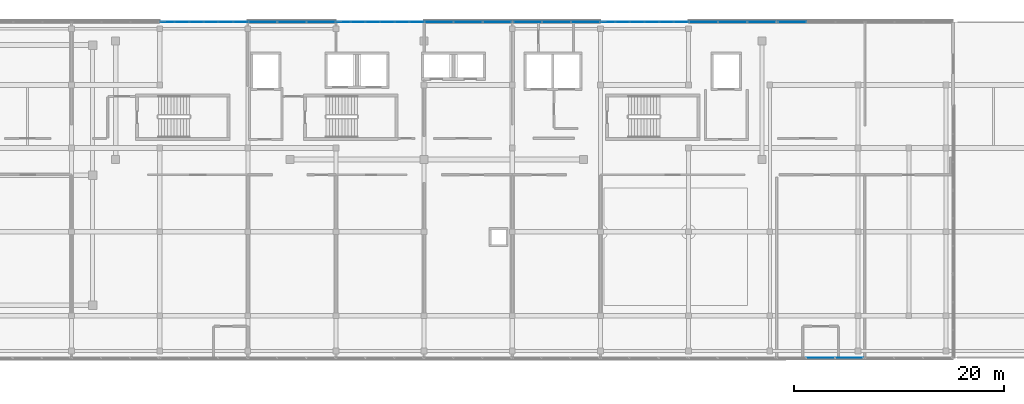
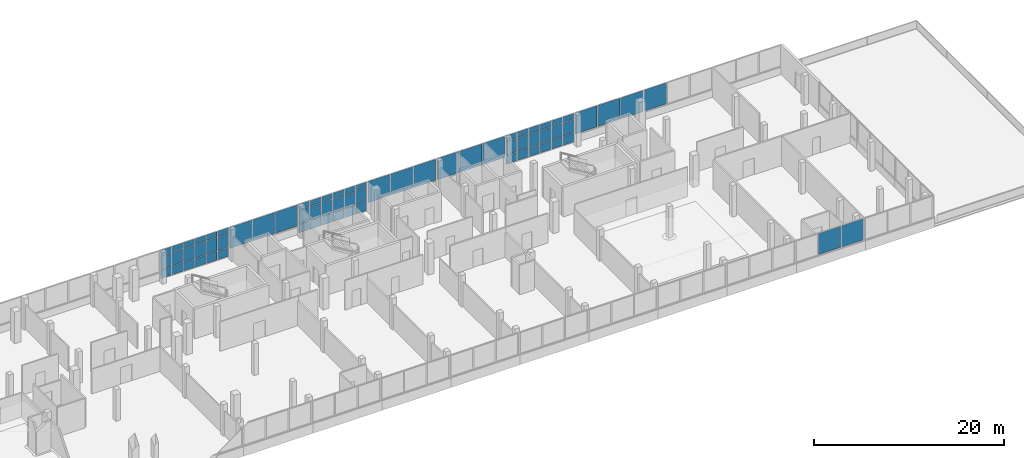
# One storey, part 53 of 66: 69 plates, 9 elements without a shape of their own.
"""IFC4 building model written with IfcOpenShell, lengths in metres."""

import ifcopenshell
import ifcopenshell.guid

model = None  # the IFC model being written
_history = None  # IfcOwnerHistory: only IFC2X3 demands one
_inside = {}  # id of a spatial element -> (the spatial element, [elements in it])
_under = {}  # id of a project, library or spatial element -> (it, [spatial elements below it])
_declared = {}  # id of a project -> (the project, [libraries it declares])
_typed = {}  # id of a type object -> (the type object, [elements of that type])
_made_of = {}  # id of a material, layer set ... -> (it, [elements and type objects made of it])


def new_model(schema):
    """Start an empty IFC model of exactly this schema.

    Asked for "IFC4X3", IfcOpenShell would pick the latest addendum, in which some entities
    have other attributes; the version numbers below select the first issue.
    IFC2X3 requires an IfcOwnerHistory on every rooted entity: one is made here for all.
    """
    global model, _history
    if schema == "IFC4X3":
        model = ifcopenshell.file(schema_version=(4, 3, 0, 0))
    else:
        model = ifcopenshell.file(schema=schema)
    _inside.clear()
    _under.clear()
    _declared.clear()
    _typed.clear()
    _made_of.clear()
    _history = None
    if model.schema == "IFC2X3":
        org = make("IfcOrganization", Name="unknown")
        user = make(
            "IfcPersonAndOrganization",
            ThePerson=make("IfcPerson", FamilyName="unknown"),
            TheOrganization=org,
        )
        app = make(
            "IfcApplication",
            ApplicationDeveloper=org,
            Version="unknown",
            ApplicationFullName="unknown",
            ApplicationIdentifier="unknown",
        )
        _history = make(
            "IfcOwnerHistory",
            OwningUser=user,
            OwningApplication=app,
            ChangeAction="ADDED",
            CreationDate=0,
        )
    return model


def make(cls, **values):
    """One entity of the class cls with the attributes given. An attribute that is None is left unset."""
    return model.create_entity(
        cls, **{name: value for name, value in values.items() if value is not None}
    )


def rooted(cls, **values):
    """An entity with a GlobalId (a new one), such as an element, a storey or a relation."""
    return make(cls, GlobalId=ifcopenshell.guid.new(), OwnerHistory=_history, **values)


def si_unit(unit_type, name, prefix=None):
    """IfcSIUnit, for example si_unit("LENGTHUNIT", "METRE", prefix="MILLI")."""
    return make("IfcSIUnit", UnitType=unit_type, Prefix=prefix, Name=name)


def assignment(units):
    """IfcUnitAssignment: the units of a project."""
    return None if units is None else make("IfcUnitAssignment", Units=units)


def point(xyz):
    """IfcCartesianPoint."""
    return None if xyz is None else make("IfcCartesianPoint", Coordinates=xyz)


def direction(xyz):
    """IfcDirection."""
    return None if xyz is None else make("IfcDirection", DirectionRatios=xyz)


def frame(location, z_axis=None, x_axis=None):
    """IfcAxis2Placement3D, a coordinate frame: its origin and axes. An axis left out is left unset."""
    return make(
        "IfcAxis2Placement3D",
        Location=point(location),
        Axis=direction(z_axis),
        RefDirection=direction(x_axis),
    )


def frame_2d(location, x_axis=None):
    """IfcAxis2Placement2D, a coordinate frame in the plane: its origin and x axis."""
    return make(
        "IfcAxis2Placement2D", Location=point(location), RefDirection=direction(x_axis)
    )


def origin():
    """The frame at (0, 0, 0) with its axes left unset."""
    return frame((0.0, 0.0, 0.0))


def origin_2d():
    """The frame at (0, 0) in the plane with its x axis left unset."""
    return frame_2d((0.0, 0.0))


def place(relative_to, where):
    """IfcLocalPlacement: puts the frame where relative to a parent placement (None: the world)."""
    return make(
        "IfcLocalPlacement", PlacementRelTo=relative_to, RelativePlacement=where
    )


def context(
    kind, dimensions, precision=None, world=None, true_north=None, identifier=None
):
    """IfcGeometricRepresentationContext, for example the 3D "Model" context."""
    return make(
        "IfcGeometricRepresentationContext",
        ContextIdentifier=identifier,
        ContextType=kind,
        CoordinateSpaceDimension=dimensions,
        Precision=precision,
        WorldCoordinateSystem=world,
        TrueNorth=true_north,
    )


def subcontext(parent, identifier, kind, view, scale=None):
    """IfcGeometricRepresentationSubContext, for example "Body" below "Model"."""
    return make(
        "IfcGeometricRepresentationSubContext",
        ContextIdentifier=identifier,
        ContextType=kind,
        ParentContext=parent,
        TargetScale=scale,
        TargetView=view,
    )


def project(units=None, contexts=None):
    """IfcProject with its units and contexts."""
    return rooted(
        "IfcProject",
        Name="project",
        RepresentationContexts=contexts,
        UnitsInContext=assignment(units),
    )


def spatial(cls, under=None, at=None, **own):
    """A site, building, storey or space (cls), placed at a placement, below another one or the project."""
    s = rooted(cls, ObjectPlacement=at, **own)
    if under is not None:
        _under.setdefault(under.id(), (under, []))[1].append(s)
    return s


def profile(cls, at=None, kind="AREA", **sizes):
    """A parametric profile (cls). Its sizes go by their IFC names, for example OverallWidth=200.0."""
    return make(cls, ProfileType=kind, Position=at, **sizes)


def rectangle(**sizes):
    """IfcRectangleProfileDef."""
    return profile("IfcRectangleProfileDef", **sizes)


def extrude(swept, where, along, depth):
    """IfcExtrudedAreaSolid: the profile swept, set in the frame where, extruded along a direction by depth."""
    return make(
        "IfcExtrudedAreaSolid",
        SweptArea=swept,
        Position=where,
        ExtrudedDirection=direction(along),
        Depth=depth,
    )


def shape(context_of_items, identifier, shape_type, items):
    """IfcShapeRepresentation: the items that make up one representation, for example the "Body"."""
    return make(
        "IfcShapeRepresentation",
        ContextOfItems=context_of_items,
        RepresentationIdentifier=identifier,
        RepresentationType=shape_type,
        Items=items,
    )


def material(Name=None, Category=None):
    """IfcMaterial."""
    return make("IfcMaterial", Name=Name, Category=Category)


def layer(
    of_material, thickness, ventilated=None, Name=None, Category=None, Priority=None
):
    """IfcMaterialLayer: one layer of a wall or slab, of a material (None: an air gap)."""
    return make(
        "IfcMaterialLayer",
        Material=of_material,
        LayerThickness=thickness,
        IsVentilated=ventilated,
        Name=Name,
        Category=Category,
        Priority=Priority,
    )


def layer_set(layers, Name=None):
    """IfcMaterialLayerSet."""
    return make("IfcMaterialLayerSet", MaterialLayers=layers, LayerSetName=Name)


def made_of(thing, what):
    """Note that an element or type object is made of a material, layer set ...; save() writes the relation."""
    if what is not None:
        _made_of.setdefault(what.id(), (what, []))[1].append(thing)
    return thing


def type_object(cls, material=None, **own):
    """A type object (cls), such as IfcWallType, which elements share."""
    return made_of(rooted(cls, **own), material)


def element(
    cls,
    number,
    at=None,
    inside=None,
    cuts=None,
    type_object=None,
    material=None,
    context=None,
    identifier="Body",
    shape_type=None,
    held_by="IfcProductDefinitionShape",
    body=None,
    shapes=None,
    **own,
):
    """One element of the class cls, such as IfcWall. Its Tag is "e" and its number.

    at: its placement. inside: the storey or other place that contains it. cuts: it is an
    opening in that element (IfcRelVoidsElement). A single representation is given by context,
    identifier, shape_type and body (its items); several are given by shapes. held_by: the class
    of the entity that holds the representations. save() writes the other relations.
    """
    e = rooted(cls, Tag="e%d" % number, ObjectPlacement=at, **own)
    if body is not None:
        shapes = [shape(context, identifier, shape_type, body)]
    if shapes is not None:
        e.Representation = make(held_by, Representations=shapes)
    if inside is not None:
        _inside.setdefault(inside.id(), (inside, []))[1].append(e)
    if cuts is not None:
        rooted(
            "IfcRelVoidsElement", RelatingBuildingElement=cuts, RelatedOpeningElement=e
        )
    if type_object is not None:
        _typed.setdefault(type_object.id(), (type_object, []))[1].append(e)
    return made_of(e, material)


def aggregate(whole, parts):
    """IfcRelAggregates: a whole, such as a stair, and the parts it consists of."""
    return rooted("IfcRelAggregates", RelatingObject=whole, RelatedObjects=parts)


def save(model, path):
    """Write the relations noted so far, then the file.

    IfcRelAggregates (storeys below a building ...), IfcRelContainedInSpatialStructure (elements
    in a storey), IfcRelDefinesByType, IfcRelAssociatesMaterial and IfcRelDeclares: one each for
    every whole, place, type object, material and project.
    """
    for whole, parts in _under.values():
        aggregate(whole, parts)
    for where, things in _inside.values():
        rooted(
            "IfcRelContainedInSpatialStructure",
            RelatedElements=things,
            RelatingStructure=where,
        )
    for kind, things in _typed.values():
        rooted("IfcRelDefinesByType", RelatedObjects=things, RelatingType=kind)
    for what, things in _made_of.values():
        rooted("IfcRelAssociatesMaterial", RelatedObjects=things, RelatingMaterial=what)
    for by, libraries in _declared.values():
        rooted("IfcRelDeclares", RelatingContext=by, RelatedDefinitions=libraries)
    model.write(path)


model = new_model("IFC4")

# Units and contexts
model_context = context("Model", 3, precision=1e-05, world=origin(), true_north=direction((0.0, 1.0)))
body_context = subcontext(model_context, "Body", "Model", "MODEL_VIEW")
ifc_project = project(units=[si_unit("LENGTHUNIT", "METRE"), si_unit("AREAUNIT", "SQUARE_METRE"), si_unit("VOLUMEUNIT", "CUBIC_METRE"), si_unit("PLANEANGLEUNIT", "RADIAN"), si_unit("MASSUNIT", "GRAM", prefix="KILO")], contexts=[model_context])

# Site, building, storey
site_placement = place(None, origin())
site = spatial("IfcSite", under=ifc_project, at=site_placement, CompositionType="ELEMENT")
building_placement = place(site_placement, origin())
building = spatial("IfcBuilding", under=site, at=building_placement, Name="Selatvlak General Hospital", CompositionType="ELEMENT")
storey_placement = place(building_placement, frame((0.0, 0.0, 31.35009765625)))
storey = spatial("IfcBuildingStorey", under=building, at=storey_placement, Name="L07", CompositionType="ELEMENT", Elevation=31.35009765625)

# Curtain wall, plates
ifc_material = material(Name="Solar-control Low-E double glazing", Category="glass")
curtain_wall_type_1 = type_object("IfcCurtainWallType", Name="CW-CW-04", PredefinedType="USERDEFINED", material=ifc_material)
curtain_wall_1_placement = place(storey_placement, origin())
curtain_wall_1 = element("IfcCurtainWall", 1, at=curtain_wall_1_placement, inside=storey, type_object=curtain_wall_type_1, Name="Glazed facade curtain wall CW-L07-0651", ObjectType="STICK GLAZING WALL", PredefinedType="USERDEFINED")
ifc_layer = layer(ifc_material, 0.028076171875, Name="Solar-control Low-E double glazing", Category="glass")
ifc_layer_set = layer_set([ifc_layer], Name="Solar-control Low-E double glazing")
plate_type = type_object("IfcPlateType", Name="CWP-01", PredefinedType="CURTAIN_PANEL", material=ifc_layer_set)
plate_1_placement = place(storey_placement, frame((90.728759765625, 119.9990234375, 0.06494140625), z_axis=(0.0, 0.0, 1.0), x_axis=(0.999999992861, 0.000119488591, 0.0)))
plate_1 = element("IfcPlate", 2, at=plate_1_placement, type_object=plate_type, Name="CW-04 panel 1.1", PredefinedType="CURTAIN_PANEL", context=body_context, shape_type="SweptSolid", body=[
    extrude(rectangle(XDim=1.29736328125, YDim=0.028076171875, at=origin_2d()), origin(), (0.0, 0.0, 1.0), 1.1025390625),
])
plate_2_placement = place(storey_placement, frame((90.728759765625, 119.9990234375, 1.232421875), z_axis=(0.0, 0.0, 1.0), x_axis=(0.999999992861, 0.000119488591, 0.0)))
plate_2 = element("IfcPlate", 3, at=plate_2_placement, type_object=plate_type, Name="CW-04 panel 1.2", PredefinedType="CURTAIN_PANEL", context=body_context, shape_type="SweptSolid", body=[
    extrude(rectangle(XDim=1.29736328125, YDim=0.028076171875, at=origin_2d()), origin(), (0.0, 0.0, 1.0), 1.719970703125),
])
plate_3_placement = place(storey_placement, frame((90.728759765625, 119.9990234375, 3.017578125), z_axis=(0.0, 0.0, 1.0), x_axis=(0.999999992861, 0.000119488591, 0.0)))
plate_3 = element("IfcPlate", 4, at=plate_3_placement, type_object=plate_type, Name="CW-04 panel 1.3", PredefinedType="CURTAIN_PANEL", context=body_context, shape_type="SweptSolid", body=[
    extrude(rectangle(XDim=1.29736328125, YDim=0.028076171875, at=origin_2d()), origin(), (0.0, 0.0, 1.0), 0.702392578125),
])
plate_4_placement = place(storey_placement, frame((92.107177734375, 119.999267578125, 0.06494140625), z_axis=(0.0, 0.0, 1.0), x_axis=(0.999999992861, 0.000119488591, 0.0)))
plate_4 = element("IfcPlate", 5, at=plate_4_placement, type_object=plate_type, Name="CW-04 panel 2.1", PredefinedType="CURTAIN_PANEL", context=body_context, shape_type="SweptSolid", body=[
    extrude(rectangle(XDim=1.329833984375, YDim=0.028076171875, at=origin_2d()), origin(), (0.0, 0.0, 1.0), 1.1025390625),
])
plate_5_placement = place(storey_placement, frame((92.107177734375, 119.999267578125, 1.232421875), z_axis=(0.0, 0.0, 1.0), x_axis=(0.999999992861, 0.000119488591, 0.0)))
plate_5 = element("IfcPlate", 6, at=plate_5_placement, type_object=plate_type, Name="CW-04 panel 2.2", PredefinedType="CURTAIN_PANEL", context=body_context, shape_type="SweptSolid", body=[
    extrude(rectangle(XDim=1.329833984375, YDim=0.028076171875, at=origin_2d()), origin(), (0.0, 0.0, 1.0), 1.719970703125),
])
plate_6_placement = place(storey_placement, frame((92.107177734375, 119.999267578125, 3.017578125), z_axis=(0.0, 0.0, 1.0), x_axis=(0.999999992861, 0.000119488591, 0.0)))
plate_6 = element("IfcPlate", 7, at=plate_6_placement, type_object=plate_type, Name="CW-04 panel 2.3", PredefinedType="CURTAIN_PANEL", context=body_context, shape_type="SweptSolid", body=[
    extrude(rectangle(XDim=1.329833984375, YDim=0.028076171875, at=origin_2d()), origin(), (0.0, 0.0, 1.0), 0.702392578125),
])
plate_7_placement = place(storey_placement, frame((93.502197265625, 119.99951171875, 0.06494140625), z_axis=(0.0, 0.0, 1.0), x_axis=(0.999999992861, 0.000119488591, 0.0)))
plate_7 = element("IfcPlate", 8, at=plate_7_placement, type_object=plate_type, Name="CW-04 panel 3.1", PredefinedType="CURTAIN_PANEL", context=body_context, shape_type="SweptSolid", body=[
    extrude(rectangle(XDim=1.329833984375, YDim=0.028076171875, at=origin_2d()), origin(), (0.0, 0.0, 1.0), 1.1025390625),
])
plate_8_placement = place(storey_placement, frame((93.502197265625, 119.99951171875, 1.232421875), z_axis=(0.0, 0.0, 1.0), x_axis=(0.999999992861, 0.000119488591, 0.0)))
plate_8 = element("IfcPlate", 9, at=plate_8_placement, type_object=plate_type, Name="CW-04 panel 3.2", PredefinedType="CURTAIN_PANEL", context=body_context, shape_type="SweptSolid", body=[
    extrude(rectangle(XDim=1.329833984375, YDim=0.028076171875, at=origin_2d()), origin(), (0.0, 0.0, 1.0), 1.719970703125),
])
plate_9_placement = place(storey_placement, frame((93.502197265625, 119.99951171875, 3.017578125), z_axis=(0.0, 0.0, 1.0), x_axis=(0.999999992861, 0.000119488591, 0.0)))
plate_9 = element("IfcPlate", 10, at=plate_9_placement, type_object=plate_type, Name="CW-04 panel 3.3", PredefinedType="CURTAIN_PANEL", context=body_context, shape_type="SweptSolid", body=[
    extrude(rectangle(XDim=1.329833984375, YDim=0.028076171875, at=origin_2d()), origin(), (0.0, 0.0, 1.0), 0.702392578125),
])
plate_10_placement = place(storey_placement, frame((94.89697265625, 119.99951171875, 0.06494140625), z_axis=(0.0, 0.0, 1.0), x_axis=(0.999999992861, 0.000119488591, 0.0)))
plate_10 = element("IfcPlate", 11, at=plate_10_placement, type_object=plate_type, Name="CW-04 panel 4.1", PredefinedType="CURTAIN_PANEL", context=body_context, shape_type="SweptSolid", body=[
    extrude(rectangle(XDim=1.329833984375, YDim=0.028076171875, at=origin_2d()), origin(), (0.0, 0.0, 1.0), 1.1025390625),
])
plate_11_placement = place(storey_placement, frame((94.89697265625, 119.99951171875, 1.232421875), z_axis=(0.0, 0.0, 1.0), x_axis=(0.999999992861, 0.000119488591, 0.0)))
plate_11 = element("IfcPlate", 12, at=plate_11_placement, type_object=plate_type, Name="CW-04 panel 4.2", PredefinedType="CURTAIN_PANEL", context=body_context, shape_type="SweptSolid", body=[
    extrude(rectangle(XDim=1.329833984375, YDim=0.028076171875, at=origin_2d()), origin(), (0.0, 0.0, 1.0), 1.719970703125),
])
plate_12_placement = place(storey_placement, frame((94.89697265625, 119.99951171875, 3.017578125), z_axis=(0.0, 0.0, 1.0), x_axis=(0.999999992861, 0.000119488591, 0.0)))
plate_12 = element("IfcPlate", 13, at=plate_12_placement, type_object=plate_type, Name="CW-04 panel 4.3", PredefinedType="CURTAIN_PANEL", context=body_context, shape_type="SweptSolid", body=[
    extrude(rectangle(XDim=1.329833984375, YDim=0.028076171875, at=origin_2d()), origin(), (0.0, 0.0, 1.0), 0.702392578125),
])
plate_13_placement = place(storey_placement, frame((96.291748046875, 119.999755859375, 0.06494140625), z_axis=(0.0, 0.0, 1.0), x_axis=(0.999999992861, 0.000119488591, 0.0)))
plate_13 = element("IfcPlate", 14, at=plate_13_placement, type_object=plate_type, Name="CW-04 panel 5.1", PredefinedType="CURTAIN_PANEL", context=body_context, shape_type="SweptSolid", body=[
    extrude(rectangle(XDim=1.329833984375, YDim=0.028076171875, at=origin_2d()), origin(), (0.0, 0.0, 1.0), 1.1025390625),
])
plate_14_placement = place(storey_placement, frame((96.291748046875, 119.999755859375, 1.232421875), z_axis=(0.0, 0.0, 1.0), x_axis=(0.999999992861, 0.000119488591, 0.0)))
plate_14 = element("IfcPlate", 15, at=plate_14_placement, type_object=plate_type, Name="CW-04 panel 5.2", PredefinedType="CURTAIN_PANEL", context=body_context, shape_type="SweptSolid", body=[
    extrude(rectangle(XDim=1.329833984375, YDim=0.028076171875, at=origin_2d()), origin(), (0.0, 0.0, 1.0), 1.719970703125),
])
plate_15_placement = place(storey_placement, frame((96.291748046875, 119.999755859375, 3.017578125), z_axis=(0.0, 0.0, 1.0), x_axis=(0.999999992861, 0.000119488591, 0.0)))
plate_15 = element("IfcPlate", 16, at=plate_15_placement, type_object=plate_type, Name="CW-04 panel 5.3", PredefinedType="CURTAIN_PANEL", context=body_context, shape_type="SweptSolid", body=[
    extrude(rectangle(XDim=1.329833984375, YDim=0.028076171875, at=origin_2d()), origin(), (0.0, 0.0, 1.0), 0.702392578125),
])
plate_16_placement = place(storey_placement, frame((97.67041015625, 120.0, 0.06494140625), z_axis=(0.0, 0.0, 1.0), x_axis=(0.999999992861, 0.000119488591, 0.0)))
plate_16 = element("IfcPlate", 17, at=plate_16_placement, type_object=plate_type, Name="CW-04 panel 6.1", PredefinedType="CURTAIN_PANEL", context=body_context, shape_type="SweptSolid", body=[
    extrude(rectangle(XDim=1.29736328125, YDim=0.028076171875, at=origin_2d()), origin(), (0.0, 0.0, 1.0), 1.1025390625),
])
plate_17_placement = place(storey_placement, frame((97.67041015625, 120.0, 1.232421875), z_axis=(0.0, 0.0, 1.0), x_axis=(0.999999992861, 0.000119488591, 0.0)))
plate_17 = element("IfcPlate", 18, at=plate_17_placement, type_object=plate_type, Name="CW-04 panel 6.2", PredefinedType="CURTAIN_PANEL", context=body_context, shape_type="SweptSolid", body=[
    extrude(rectangle(XDim=1.29736328125, YDim=0.028076171875, at=origin_2d()), origin(), (0.0, 0.0, 1.0), 1.719970703125),
])
plate_18_placement = place(storey_placement, frame((97.67041015625, 120.0, 3.017578125), z_axis=(0.0, 0.0, 1.0), x_axis=(0.999999992861, 0.000119488591, 0.0)))
plate_18 = element("IfcPlate", 19, at=plate_18_placement, type_object=plate_type, Name="CW-04 panel 6.3", PredefinedType="CURTAIN_PANEL", context=body_context, shape_type="SweptSolid", body=[
    extrude(rectangle(XDim=1.29736328125, YDim=0.028076171875, at=origin_2d()), origin(), (0.0, 0.0, 1.0), 0.702392578125),
])
aggregate(curtain_wall_1, [plate_1, plate_2, plate_3, plate_4, plate_5, plate_6, plate_7, plate_8, plate_9, plate_10, plate_11, plate_12, plate_13, plate_14, plate_15, plate_16, plate_17, plate_18])

curtain_wall_type_2 = type_object("IfcCurtainWallType", Name="CW-CW-02", PredefinedType="USERDEFINED", material=ifc_material)
curtain_wall_2_placement = place(storey_placement, origin())
curtain_wall_2 = element("IfcCurtainWall", 20, at=curtain_wall_2_placement, inside=storey, type_object=curtain_wall_type_2, Name="Glazed facade curtain wall CW-L07-0652", ObjectType="UNITISED CURTAIN WALL", PredefinedType="USERDEFINED")
plate_19_placement = place(storey_placement, frame((99.8251953125, 120.0, 1.0048828125), z_axis=(0.0, 0.0, 1.0), x_axis=(1.0, 0.0, 0.0)))
plate_19 = element("IfcPlate", 21, at=plate_19_placement, type_object=plate_type, Name="CW-02 panel 1.1", PredefinedType="CURTAIN_PANEL", context=body_context, shape_type="SweptSolid", body=[
    extrude(rectangle(XDim=2.6923828125, YDim=0.028076171875, at=origin_2d()), origin(), (0.0, 0.0, 1.0), 2.715087890625),
])
plate_20_placement = place(storey_placement, frame((102.59912109375, 120.0, 1.0048828125), z_axis=(0.0, 0.0, 1.0), x_axis=(1.0, 0.0, 0.0)))
plate_20 = element("IfcPlate", 22, at=plate_20_placement, type_object=plate_type, Name="CW-02 panel 2.1", PredefinedType="CURTAIN_PANEL", context=body_context, shape_type="SweptSolid", body=[
    extrude(rectangle(XDim=2.72509765625, YDim=0.028076171875, at=origin_2d()), origin(), (0.0, 0.0, 1.0), 2.715087890625),
])
plate_21_placement = place(storey_placement, frame((105.372802734375, 120.0, 1.0048828125), z_axis=(0.0, 0.0, 1.0), x_axis=(1.0, 0.0, 0.0)))
plate_21 = element("IfcPlate", 23, at=plate_21_placement, type_object=plate_type, Name="CW-02 panel 3.1", PredefinedType="CURTAIN_PANEL", context=body_context, shape_type="SweptSolid", body=[
    extrude(rectangle(XDim=2.6923828125, YDim=0.028076171875, at=origin_2d()), origin(), (0.0, 0.0, 1.0), 2.715087890625),
])
aggregate(curtain_wall_2, [plate_19, plate_20, plate_21])

curtain_wall_3_placement = place(storey_placement, origin())
curtain_wall_3 = element("IfcCurtainWall", 24, at=curtain_wall_3_placement, inside=storey, type_object=curtain_wall_type_1, Name="Glazed facade curtain wall CW-L07-0653", ObjectType="STICK GLAZING WALL", PredefinedType="USERDEFINED")
plate_22_placement = place(storey_placement, frame((107.52783203125, 120.0, 0.06494140625), z_axis=(0.0, 0.0, 1.0), x_axis=(1.0, 0.0, 0.0)))
plate_22 = element("IfcPlate", 25, at=plate_22_placement, type_object=plate_type, Name="CW-04 panel 1.1", PredefinedType="CURTAIN_PANEL", context=body_context, shape_type="SweptSolid", body=[
    extrude(rectangle(XDim=1.297607421875, YDim=0.028076171875, at=origin_2d()), origin(), (0.0, 0.0, 1.0), 1.1025390625),
])
plate_23_placement = place(storey_placement, frame((107.52783203125, 120.0, 1.232421875), z_axis=(0.0, 0.0, 1.0), x_axis=(1.0, 0.0, 0.0)))
plate_23 = element("IfcPlate", 26, at=plate_23_placement, type_object=plate_type, Name="CW-04 panel 1.2", PredefinedType="CURTAIN_PANEL", context=body_context, shape_type="SweptSolid", body=[
    extrude(rectangle(XDim=1.297607421875, YDim=0.028076171875, at=origin_2d()), origin(), (0.0, 0.0, 1.0), 1.719970703125),
])
plate_24_placement = place(storey_placement, frame((107.52783203125, 120.0, 3.017578125), z_axis=(0.0, 0.0, 1.0), x_axis=(1.0, 0.0, 0.0)))
plate_24 = element("IfcPlate", 27, at=plate_24_placement, type_object=plate_type, Name="CW-04 panel 1.3", PredefinedType="CURTAIN_PANEL", context=body_context, shape_type="SweptSolid", body=[
    extrude(rectangle(XDim=1.297607421875, YDim=0.028076171875, at=origin_2d()), origin(), (0.0, 0.0, 1.0), 0.702392578125),
])
plate_25_placement = place(storey_placement, frame((108.906494140625, 120.0, 0.06494140625), z_axis=(0.0, 0.0, 1.0), x_axis=(1.0, 0.0, 0.0)))
plate_25 = element("IfcPlate", 28, at=plate_25_placement, type_object=plate_type, Name="CW-04 panel 2.1", PredefinedType="CURTAIN_PANEL", context=body_context, shape_type="SweptSolid", body=[
    extrude(rectangle(XDim=1.330078125, YDim=0.028076171875, at=origin_2d()), origin(), (0.0, 0.0, 1.0), 1.1025390625),
])
plate_26_placement = place(storey_placement, frame((108.906494140625, 120.0, 1.232421875), z_axis=(0.0, 0.0, 1.0), x_axis=(1.0, 0.0, 0.0)))
plate_26 = element("IfcPlate", 29, at=plate_26_placement, type_object=plate_type, Name="CW-04 panel 2.2", PredefinedType="CURTAIN_PANEL", context=body_context, shape_type="SweptSolid", body=[
    extrude(rectangle(XDim=1.330078125, YDim=0.028076171875, at=origin_2d()), origin(), (0.0, 0.0, 1.0), 1.719970703125),
])
plate_27_placement = place(storey_placement, frame((108.906494140625, 120.0, 3.017578125), z_axis=(0.0, 0.0, 1.0), x_axis=(1.0, 0.0, 0.0)))
plate_27 = element("IfcPlate", 30, at=plate_27_placement, type_object=plate_type, Name="CW-04 panel 2.3", PredefinedType="CURTAIN_PANEL", context=body_context, shape_type="SweptSolid", body=[
    extrude(rectangle(XDim=1.330078125, YDim=0.028076171875, at=origin_2d()), origin(), (0.0, 0.0, 1.0), 0.702392578125),
])
plate_28_placement = place(storey_placement, frame((110.301513671875, 120.0, 0.06494140625), z_axis=(0.0, 0.0, 1.0), x_axis=(1.0, 0.0, 0.0)))
plate_28 = element("IfcPlate", 31, at=plate_28_placement, type_object=plate_type, Name="CW-04 panel 3.1", PredefinedType="CURTAIN_PANEL", context=body_context, shape_type="SweptSolid", body=[
    extrude(rectangle(XDim=1.330078125, YDim=0.028076171875, at=origin_2d()), origin(), (0.0, 0.0, 1.0), 1.1025390625),
])
plate_29_placement = place(storey_placement, frame((110.301513671875, 120.0, 1.232421875), z_axis=(0.0, 0.0, 1.0), x_axis=(1.0, 0.0, 0.0)))
plate_29 = element("IfcPlate", 32, at=plate_29_placement, type_object=plate_type, Name="CW-04 panel 3.2", PredefinedType="CURTAIN_PANEL", context=body_context, shape_type="SweptSolid", body=[
    extrude(rectangle(XDim=1.330078125, YDim=0.028076171875, at=origin_2d()), origin(), (0.0, 0.0, 1.0), 1.719970703125),
])
plate_30_placement = place(storey_placement, frame((110.301513671875, 120.0, 3.017578125), z_axis=(0.0, 0.0, 1.0), x_axis=(1.0, 0.0, 0.0)))
plate_30 = element("IfcPlate", 33, at=plate_30_placement, type_object=plate_type, Name="CW-04 panel 3.3", PredefinedType="CURTAIN_PANEL", context=body_context, shape_type="SweptSolid", body=[
    extrude(rectangle(XDim=1.330078125, YDim=0.028076171875, at=origin_2d()), origin(), (0.0, 0.0, 1.0), 0.702392578125),
])
plate_31_placement = place(storey_placement, frame((111.696533203125, 120.0, 0.06494140625), z_axis=(0.0, 0.0, 1.0), x_axis=(1.0, 0.0, 0.0)))
plate_31 = element("IfcPlate", 34, at=plate_31_placement, type_object=plate_type, Name="CW-04 panel 4.1", PredefinedType="CURTAIN_PANEL", context=body_context, shape_type="SweptSolid", body=[
    extrude(rectangle(XDim=1.330078125, YDim=0.028076171875, at=origin_2d()), origin(), (0.0, 0.0, 1.0), 1.1025390625),
])
plate_32_placement = place(storey_placement, frame((111.696533203125, 120.0, 1.232421875), z_axis=(0.0, 0.0, 1.0), x_axis=(1.0, 0.0, 0.0)))
plate_32 = element("IfcPlate", 35, at=plate_32_placement, type_object=plate_type, Name="CW-04 panel 4.2", PredefinedType="CURTAIN_PANEL", context=body_context, shape_type="SweptSolid", body=[
    extrude(rectangle(XDim=1.330078125, YDim=0.028076171875, at=origin_2d()), origin(), (0.0, 0.0, 1.0), 1.719970703125),
])
plate_33_placement = place(storey_placement, frame((111.696533203125, 120.0, 3.017578125), z_axis=(0.0, 0.0, 1.0), x_axis=(1.0, 0.0, 0.0)))
plate_33 = element("IfcPlate", 36, at=plate_33_placement, type_object=plate_type, Name="CW-04 panel 4.3", PredefinedType="CURTAIN_PANEL", context=body_context, shape_type="SweptSolid", body=[
    extrude(rectangle(XDim=1.330078125, YDim=0.028076171875, at=origin_2d()), origin(), (0.0, 0.0, 1.0), 0.702392578125),
])
plate_34_placement = place(storey_placement, frame((113.091552734375, 120.0, 0.06494140625), z_axis=(0.0, 0.0, 1.0), x_axis=(1.0, 0.0, 0.0)))
plate_34 = element("IfcPlate", 37, at=plate_34_placement, type_object=plate_type, Name="CW-04 panel 5.1", PredefinedType="CURTAIN_PANEL", context=body_context, shape_type="SweptSolid", body=[
    extrude(rectangle(XDim=1.330078125, YDim=0.028076171875, at=origin_2d()), origin(), (0.0, 0.0, 1.0), 1.1025390625),
])
plate_35_placement = place(storey_placement, frame((113.091552734375, 120.0, 1.232421875), z_axis=(0.0, 0.0, 1.0), x_axis=(1.0, 0.0, 0.0)))
plate_35 = element("IfcPlate", 38, at=plate_35_placement, type_object=plate_type, Name="CW-04 panel 5.2", PredefinedType="CURTAIN_PANEL", context=body_context, shape_type="SweptSolid", body=[
    extrude(rectangle(XDim=1.330078125, YDim=0.028076171875, at=origin_2d()), origin(), (0.0, 0.0, 1.0), 1.719970703125),
])
plate_36_placement = place(storey_placement, frame((113.091552734375, 120.0, 3.017578125), z_axis=(0.0, 0.0, 1.0), x_axis=(1.0, 0.0, 0.0)))
plate_36 = element("IfcPlate", 39, at=plate_36_placement, type_object=plate_type, Name="CW-04 panel 5.3", PredefinedType="CURTAIN_PANEL", context=body_context, shape_type="SweptSolid", body=[
    extrude(rectangle(XDim=1.330078125, YDim=0.028076171875, at=origin_2d()), origin(), (0.0, 0.0, 1.0), 0.702392578125),
])
plate_37_placement = place(storey_placement, frame((114.47021484375, 120.0, 0.06494140625), z_axis=(0.0, 0.0, 1.0), x_axis=(1.0, 0.0, 0.0)))
plate_37 = element("IfcPlate", 40, at=plate_37_placement, type_object=plate_type, Name="CW-04 panel 6.1", PredefinedType="CURTAIN_PANEL", context=body_context, shape_type="SweptSolid", body=[
    extrude(rectangle(XDim=1.297607421875, YDim=0.028076171875, at=origin_2d()), origin(), (0.0, 0.0, 1.0), 1.1025390625),
])
plate_38_placement = place(storey_placement, frame((114.47021484375, 120.0, 1.232421875), z_axis=(0.0, 0.0, 1.0), x_axis=(1.0, 0.0, 0.0)))
plate_38 = element("IfcPlate", 41, at=plate_38_placement, type_object=plate_type, Name="CW-04 panel 6.2", PredefinedType="CURTAIN_PANEL", context=body_context, shape_type="SweptSolid", body=[
    extrude(rectangle(XDim=1.297607421875, YDim=0.028076171875, at=origin_2d()), origin(), (0.0, 0.0, 1.0), 1.719970703125),
])
plate_39_placement = place(storey_placement, frame((114.47021484375, 120.0, 3.017578125), z_axis=(0.0, 0.0, 1.0), x_axis=(1.0, 0.0, 0.0)))
plate_39 = element("IfcPlate", 42, at=plate_39_placement, type_object=plate_type, Name="CW-04 panel 6.3", PredefinedType="CURTAIN_PANEL", context=body_context, shape_type="SweptSolid", body=[
    extrude(rectangle(XDim=1.297607421875, YDim=0.028076171875, at=origin_2d()), origin(), (0.0, 0.0, 1.0), 0.702392578125),
])
aggregate(curtain_wall_3, [plate_22, plate_23, plate_24, plate_25, plate_26, plate_27, plate_28, plate_29, plate_30, plate_31, plate_32, plate_33, plate_34, plate_35, plate_36, plate_37, plate_38, plate_39])

curtain_wall_4_placement = place(storey_placement, origin())
curtain_wall_4 = element("IfcCurtainWall", 43, at=curtain_wall_4_placement, inside=storey, type_object=curtain_wall_type_2, Name="Glazed facade curtain wall CW-L07-0654", ObjectType="UNITISED CURTAIN WALL", PredefinedType="USERDEFINED")
plate_40_placement = place(storey_placement, frame((116.625244140625, 120.0, 1.0048828125), z_axis=(0.0, 0.0, 1.0), x_axis=(1.0, 0.0, 0.0)))
plate_40 = element("IfcPlate", 44, at=plate_40_placement, type_object=plate_type, Name="CW-02 panel 1.1", PredefinedType="CURTAIN_PANEL", context=body_context, shape_type="SweptSolid", body=[
    extrude(rectangle(XDim=2.6923828125, YDim=0.028076171875, at=origin_2d()), origin(), (0.0, 0.0, 1.0), 2.715087890625),
])
plate_41_placement = place(storey_placement, frame((119.39892578125, 120.0, 1.0048828125), z_axis=(0.0, 0.0, 1.0), x_axis=(1.0, 0.0, 0.0)))
plate_41 = element("IfcPlate", 45, at=plate_41_placement, type_object=plate_type, Name="CW-02 panel 2.1", PredefinedType="CURTAIN_PANEL", context=body_context, shape_type="SweptSolid", body=[
    extrude(rectangle(XDim=2.72509765625, YDim=0.028076171875, at=origin_2d()), origin(), (0.0, 0.0, 1.0), 2.715087890625),
])
plate_42_placement = place(storey_placement, frame((122.1728515625, 120.0, 1.0048828125), z_axis=(0.0, 0.0, 1.0), x_axis=(1.0, 0.0, 0.0)))
plate_42 = element("IfcPlate", 46, at=plate_42_placement, type_object=plate_type, Name="CW-02 panel 3.1", PredefinedType="CURTAIN_PANEL", context=body_context, shape_type="SweptSolid", body=[
    extrude(rectangle(XDim=2.6923828125, YDim=0.028076171875, at=origin_2d()), origin(), (0.0, 0.0, 1.0), 2.715087890625),
])
aggregate(curtain_wall_4, [plate_40, plate_41, plate_42])

curtain_wall_type_3 = type_object("IfcCurtainWallType", Name="CW-CW-01", PredefinedType="USERDEFINED", material=ifc_material)
curtain_wall_5_placement = place(storey_placement, origin())
curtain_wall_5 = element("IfcCurtainWall", 47, at=curtain_wall_5_placement, inside=storey, type_object=curtain_wall_type_3, Name="Glazed facade curtain wall CW-L07-0655", ObjectType="UNITISED CURTAIN WALL", PredefinedType="USERDEFINED")
plate_43_placement = place(storey_placement, frame((125.06689453125, 120.0, 1.0048828125), z_axis=(0.0, 0.0, 1.0), x_axis=(1.0, 0.0, 0.0)))
plate_43 = element("IfcPlate", 48, at=plate_43_placement, type_object=plate_type, Name="CW-01 panel 1.1", PredefinedType="CURTAIN_PANEL", context=body_context, shape_type="SweptSolid", body=[
    extrude(rectangle(XDim=2.67578125, YDim=0.028076171875, at=origin_2d()), origin(), (0.0, 0.0, 1.0), 2.715087890625),
])
plate_44_placement = place(storey_placement, frame((127.823974609375, 120.0, 1.0048828125), z_axis=(0.0, 0.0, 1.0), x_axis=(1.0, 0.0, 0.0)))
plate_44 = element("IfcPlate", 49, at=plate_44_placement, type_object=plate_type, Name="CW-01 panel 2.1", PredefinedType="CURTAIN_PANEL", context=body_context, shape_type="SweptSolid", body=[
    extrude(rectangle(XDim=2.708251953125, YDim=0.028076171875, at=origin_2d()), origin(), (0.0, 0.0, 1.0), 2.715087890625),
])
plate_45_placement = place(storey_placement, frame((130.5810546875, 120.0, 1.0048828125), z_axis=(0.0, 0.0, 1.0), x_axis=(1.0, 0.0, 0.0)))
plate_45 = element("IfcPlate", 50, at=plate_45_placement, type_object=plate_type, Name="CW-01 panel 3.1", PredefinedType="CURTAIN_PANEL", context=body_context, shape_type="SweptSolid", body=[
    extrude(rectangle(XDim=2.67578125, YDim=0.028076171875, at=origin_2d()), origin(), (0.0, 0.0, 1.0), 2.715087890625),
])
aggregate(curtain_wall_5, [plate_43, plate_44, plate_45])

curtain_wall_6_placement = place(storey_placement, origin())
curtain_wall_6 = element("IfcCurtainWall", 51, at=curtain_wall_6_placement, inside=storey, type_object=curtain_wall_type_1, Name="Glazed facade curtain wall CW-L07-0656", ObjectType="STICK GLAZING WALL", PredefinedType="USERDEFINED")
plate_46_placement = place(storey_placement, frame((132.727783203125, 120.0, 0.06494140625), z_axis=(0.0, 0.0, 1.0), x_axis=(1.0, 0.0, 0.0)))
plate_46 = element("IfcPlate", 52, at=plate_46_placement, type_object=plate_type, Name="CW-04 panel 1.1", PredefinedType="CURTAIN_PANEL", context=body_context, shape_type="SweptSolid", body=[
    extrude(rectangle(XDim=1.297607421875, YDim=0.028076171875, at=origin_2d()), origin(), (0.0, 0.0, 1.0), 1.1025390625),
])
plate_47_placement = place(storey_placement, frame((132.727783203125, 120.0, 1.232421875), z_axis=(0.0, 0.0, 1.0), x_axis=(1.0, 0.0, 0.0)))
plate_47 = element("IfcPlate", 53, at=plate_47_placement, type_object=plate_type, Name="CW-04 panel 1.2", PredefinedType="CURTAIN_PANEL", context=body_context, shape_type="SweptSolid", body=[
    extrude(rectangle(XDim=1.297607421875, YDim=0.028076171875, at=origin_2d()), origin(), (0.0, 0.0, 1.0), 1.719970703125),
])
plate_48_placement = place(storey_placement, frame((132.727783203125, 120.0, 3.017578125), z_axis=(0.0, 0.0, 1.0), x_axis=(1.0, 0.0, 0.0)))
plate_48 = element("IfcPlate", 54, at=plate_48_placement, type_object=plate_type, Name="CW-04 panel 1.3", PredefinedType="CURTAIN_PANEL", context=body_context, shape_type="SweptSolid", body=[
    extrude(rectangle(XDim=1.297607421875, YDim=0.028076171875, at=origin_2d()), origin(), (0.0, 0.0, 1.0), 0.702392578125),
])
plate_49_placement = place(storey_placement, frame((134.1064453125, 120.0, 0.06494140625), z_axis=(0.0, 0.0, 1.0), x_axis=(1.0, 0.0, 0.0)))
plate_49 = element("IfcPlate", 55, at=plate_49_placement, type_object=plate_type, Name="CW-04 panel 2.1", PredefinedType="CURTAIN_PANEL", context=body_context, shape_type="SweptSolid", body=[
    extrude(rectangle(XDim=1.330078125, YDim=0.028076171875, at=origin_2d()), origin(), (0.0, 0.0, 1.0), 1.1025390625),
])
plate_50_placement = place(storey_placement, frame((134.1064453125, 120.0, 1.232421875), z_axis=(0.0, 0.0, 1.0), x_axis=(1.0, 0.0, 0.0)))
plate_50 = element("IfcPlate", 56, at=plate_50_placement, type_object=plate_type, Name="CW-04 panel 2.2", PredefinedType="CURTAIN_PANEL", context=body_context, shape_type="SweptSolid", body=[
    extrude(rectangle(XDim=1.330078125, YDim=0.028076171875, at=origin_2d()), origin(), (0.0, 0.0, 1.0), 1.719970703125),
])
plate_51_placement = place(storey_placement, frame((134.1064453125, 120.0, 3.017578125), z_axis=(0.0, 0.0, 1.0), x_axis=(1.0, 0.0, 0.0)))
plate_51 = element("IfcPlate", 57, at=plate_51_placement, type_object=plate_type, Name="CW-04 panel 2.3", PredefinedType="CURTAIN_PANEL", context=body_context, shape_type="SweptSolid", body=[
    extrude(rectangle(XDim=1.330078125, YDim=0.028076171875, at=origin_2d()), origin(), (0.0, 0.0, 1.0), 0.702392578125),
])
plate_52_placement = place(storey_placement, frame((135.50146484375, 120.0, 0.06494140625), z_axis=(0.0, 0.0, 1.0), x_axis=(1.0, 0.0, 0.0)))
plate_52 = element("IfcPlate", 58, at=plate_52_placement, type_object=plate_type, Name="CW-04 panel 3.1", PredefinedType="CURTAIN_PANEL", context=body_context, shape_type="SweptSolid", body=[
    extrude(rectangle(XDim=1.330078125, YDim=0.028076171875, at=origin_2d()), origin(), (0.0, 0.0, 1.0), 1.1025390625),
])
plate_53_placement = place(storey_placement, frame((135.50146484375, 120.0, 1.232421875), z_axis=(0.0, 0.0, 1.0), x_axis=(1.0, 0.0, 0.0)))
plate_53 = element("IfcPlate", 59, at=plate_53_placement, type_object=plate_type, Name="CW-04 panel 3.2", PredefinedType="CURTAIN_PANEL", context=body_context, shape_type="SweptSolid", body=[
    extrude(rectangle(XDim=1.330078125, YDim=0.028076171875, at=origin_2d()), origin(), (0.0, 0.0, 1.0), 1.719970703125),
])
plate_54_placement = place(storey_placement, frame((135.50146484375, 120.0, 3.017578125), z_axis=(0.0, 0.0, 1.0), x_axis=(1.0, 0.0, 0.0)))
plate_54 = element("IfcPlate", 60, at=plate_54_placement, type_object=plate_type, Name="CW-04 panel 3.3", PredefinedType="CURTAIN_PANEL", context=body_context, shape_type="SweptSolid", body=[
    extrude(rectangle(XDim=1.330078125, YDim=0.028076171875, at=origin_2d()), origin(), (0.0, 0.0, 1.0), 0.702392578125),
])
plate_55_placement = place(storey_placement, frame((136.896484375, 120.0, 0.06494140625), z_axis=(0.0, 0.0, 1.0), x_axis=(1.0, 0.0, 0.0)))
plate_55 = element("IfcPlate", 61, at=plate_55_placement, type_object=plate_type, Name="CW-04 panel 4.1", PredefinedType="CURTAIN_PANEL", context=body_context, shape_type="SweptSolid", body=[
    extrude(rectangle(XDim=1.330078125, YDim=0.028076171875, at=origin_2d()), origin(), (0.0, 0.0, 1.0), 1.1025390625),
])
plate_56_placement = place(storey_placement, frame((136.896484375, 120.0, 1.232421875), z_axis=(0.0, 0.0, 1.0), x_axis=(1.0, 0.0, 0.0)))
plate_56 = element("IfcPlate", 62, at=plate_56_placement, type_object=plate_type, Name="CW-04 panel 4.2", PredefinedType="CURTAIN_PANEL", context=body_context, shape_type="SweptSolid", body=[
    extrude(rectangle(XDim=1.330078125, YDim=0.028076171875, at=origin_2d()), origin(), (0.0, 0.0, 1.0), 1.719970703125),
])
plate_57_placement = place(storey_placement, frame((136.896484375, 120.0, 3.017578125), z_axis=(0.0, 0.0, 1.0), x_axis=(1.0, 0.0, 0.0)))
plate_57 = element("IfcPlate", 63, at=plate_57_placement, type_object=plate_type, Name="CW-04 panel 4.3", PredefinedType="CURTAIN_PANEL", context=body_context, shape_type="SweptSolid", body=[
    extrude(rectangle(XDim=1.330078125, YDim=0.028076171875, at=origin_2d()), origin(), (0.0, 0.0, 1.0), 0.702392578125),
])
plate_58_placement = place(storey_placement, frame((138.29150390625, 120.0, 0.06494140625), z_axis=(0.0, 0.0, 1.0), x_axis=(1.0, 0.0, 0.0)))
plate_58 = element("IfcPlate", 64, at=plate_58_placement, type_object=plate_type, Name="CW-04 panel 5.1", PredefinedType="CURTAIN_PANEL", context=body_context, shape_type="SweptSolid", body=[
    extrude(rectangle(XDim=1.330078125, YDim=0.028076171875, at=origin_2d()), origin(), (0.0, 0.0, 1.0), 1.1025390625),
])
plate_59_placement = place(storey_placement, frame((138.29150390625, 120.0, 1.232421875), z_axis=(0.0, 0.0, 1.0), x_axis=(1.0, 0.0, 0.0)))
plate_59 = element("IfcPlate", 65, at=plate_59_placement, type_object=plate_type, Name="CW-04 panel 5.2", PredefinedType="CURTAIN_PANEL", context=body_context, shape_type="SweptSolid", body=[
    extrude(rectangle(XDim=1.330078125, YDim=0.028076171875, at=origin_2d()), origin(), (0.0, 0.0, 1.0), 1.719970703125),
])
plate_60_placement = place(storey_placement, frame((138.29150390625, 120.0, 3.017578125), z_axis=(0.0, 0.0, 1.0), x_axis=(1.0, 0.0, 0.0)))
plate_60 = element("IfcPlate", 66, at=plate_60_placement, type_object=plate_type, Name="CW-04 panel 5.3", PredefinedType="CURTAIN_PANEL", context=body_context, shape_type="SweptSolid", body=[
    extrude(rectangle(XDim=1.330078125, YDim=0.028076171875, at=origin_2d()), origin(), (0.0, 0.0, 1.0), 0.702392578125),
])
plate_61_placement = place(storey_placement, frame((139.670166015625, 120.0, 0.06494140625), z_axis=(0.0, 0.0, 1.0), x_axis=(1.0, 0.0, 0.0)))
plate_61 = element("IfcPlate", 67, at=plate_61_placement, type_object=plate_type, Name="CW-04 panel 6.1", PredefinedType="CURTAIN_PANEL", context=body_context, shape_type="SweptSolid", body=[
    extrude(rectangle(XDim=1.297607421875, YDim=0.028076171875, at=origin_2d()), origin(), (0.0, 0.0, 1.0), 1.1025390625),
])
plate_62_placement = place(storey_placement, frame((139.670166015625, 120.0, 1.232421875), z_axis=(0.0, 0.0, 1.0), x_axis=(1.0, 0.0, 0.0)))
plate_62 = element("IfcPlate", 68, at=plate_62_placement, type_object=plate_type, Name="CW-04 panel 6.2", PredefinedType="CURTAIN_PANEL", context=body_context, shape_type="SweptSolid", body=[
    extrude(rectangle(XDim=1.297607421875, YDim=0.028076171875, at=origin_2d()), origin(), (0.0, 0.0, 1.0), 1.719970703125),
])
plate_63_placement = place(storey_placement, frame((139.670166015625, 120.0, 3.017578125), z_axis=(0.0, 0.0, 1.0), x_axis=(1.0, 0.0, 0.0)))
plate_63 = element("IfcPlate", 69, at=plate_63_placement, type_object=plate_type, Name="CW-04 panel 6.3", PredefinedType="CURTAIN_PANEL", context=body_context, shape_type="SweptSolid", body=[
    extrude(rectangle(XDim=1.297607421875, YDim=0.028076171875, at=origin_2d()), origin(), (0.0, 0.0, 1.0), 0.702392578125),
])
aggregate(curtain_wall_6, [plate_46, plate_47, plate_48, plate_49, plate_50, plate_51, plate_52, plate_53, plate_54, plate_55, plate_56, plate_57, plate_58, plate_59, plate_60, plate_61, plate_62, plate_63])

curtain_wall_7_placement = place(storey_placement, origin())
curtain_wall_7 = element("IfcCurtainWall", 70, at=curtain_wall_7_placement, inside=storey, type_object=curtain_wall_type_3, Name="Glazed facade curtain wall CW-L07-0657", ObjectType="UNITISED CURTAIN WALL", PredefinedType="USERDEFINED")
plate_64_placement = place(storey_placement, frame((141.8251953125, 120.0, 1.0048828125), z_axis=(0.0, 0.0, 1.0), x_axis=(1.0, 0.0, 0.0)))
plate_64 = element("IfcPlate", 71, at=plate_64_placement, type_object=plate_type, Name="CW-01 panel 1.1", PredefinedType="CURTAIN_PANEL", context=body_context, shape_type="SweptSolid", body=[
    extrude(rectangle(XDim=2.6923828125, YDim=0.028076171875, at=origin_2d()), origin(), (0.0, 0.0, 1.0), 2.715087890625),
])
plate_65_placement = place(storey_placement, frame((144.59912109375, 120.0, 1.0048828125), z_axis=(0.0, 0.0, 1.0), x_axis=(1.0, 0.0, 0.0)))
plate_65 = element("IfcPlate", 72, at=plate_65_placement, type_object=plate_type, Name="CW-01 panel 2.1", PredefinedType="CURTAIN_PANEL", context=body_context, shape_type="SweptSolid", body=[
    extrude(rectangle(XDim=2.72509765625, YDim=0.028076171875, at=origin_2d()), origin(), (0.0, 0.0, 1.0), 2.715087890625),
])
plate_66_placement = place(storey_placement, frame((147.372802734375, 120.0, 1.0048828125), z_axis=(0.0, 0.0, 1.0), x_axis=(1.0, 0.0, 0.0)))
plate_66 = element("IfcPlate", 73, at=plate_66_placement, type_object=plate_type, Name="CW-01 panel 3.1", PredefinedType="CURTAIN_PANEL", context=body_context, shape_type="SweptSolid", body=[
    extrude(rectangle(XDim=2.6923828125, YDim=0.028076171875, at=origin_2d()), origin(), (0.0, 0.0, 1.0), 2.715087890625),
])
aggregate(curtain_wall_7, [plate_64, plate_65, plate_66])

# Curtain wall, plate
curtain_wall_8_placement = place(storey_placement, origin())
curtain_wall_8 = element("IfcCurtainWall", 74, at=curtain_wall_8_placement, inside=storey, type_object=curtain_wall_type_2, Name="Glazed facade curtain wall CW-L07-0658", ObjectType="UNITISED CURTAIN WALL", PredefinedType="USERDEFINED")
plate_67_placement = place(storey_placement, frame((150.266845703125, 120.0, 1.0048828125), z_axis=(0.0, 0.0, 1.0), x_axis=(1.0, 0.0, 0.0)))
plate_67 = element("IfcPlate", 75, at=plate_67_placement, type_object=plate_type, Name="CW-02 panel 1.1", PredefinedType="CURTAIN_PANEL", context=body_context, shape_type="SweptSolid", body=[
    extrude(rectangle(XDim=2.67578125, YDim=0.028076171875, at=origin_2d()), origin(), (0.0, 0.0, 1.0), 2.715087890625),
])
aggregate(curtain_wall_8, [plate_67])

# Curtain wall, plates
curtain_wall_9_placement = place(storey_placement, origin())
curtain_wall_9 = element("IfcCurtainWall", 76, at=curtain_wall_9_placement, inside=storey, type_object=curtain_wall_type_2, Name="Glazed facade curtain wall CW-L07-0664", ObjectType="UNITISED CURTAIN WALL", PredefinedType="USERDEFINED")
plate_68_placement = place(storey_placement, frame((155.732177734375, 88.0009765625, 1.0048828125), z_axis=(0.0, 0.0, 1.0), x_axis=(-1.0, 0.0, 0.0)))
plate_68 = element("IfcPlate", 77, at=plate_68_placement, type_object=plate_type, Name="CW-02 panel 1.1", PredefinedType="CURTAIN_PANEL", context=body_context, shape_type="SweptSolid", body=[
    extrude(rectangle(XDim=2.67578125, YDim=0.028076171875, at=origin_2d()), origin(), (0.0, 0.0, 1.0), 2.715087890625),
])
plate_69_placement = place(storey_placement, frame((152.97509765625, 88.0009765625, 1.0048828125), z_axis=(0.0, 0.0, 1.0), x_axis=(-1.0, 0.0, 0.0)))
plate_69 = element("IfcPlate", 78, at=plate_69_placement, type_object=plate_type, Name="CW-02 panel 2.1", PredefinedType="CURTAIN_PANEL", context=body_context, shape_type="SweptSolid", body=[
    extrude(rectangle(XDim=2.708251953125, YDim=0.028076171875, at=origin_2d()), origin(), (0.0, 0.0, 1.0), 2.715087890625),
])
aggregate(curtain_wall_9, [plate_68, plate_69])

save(model, "model.ifc")
